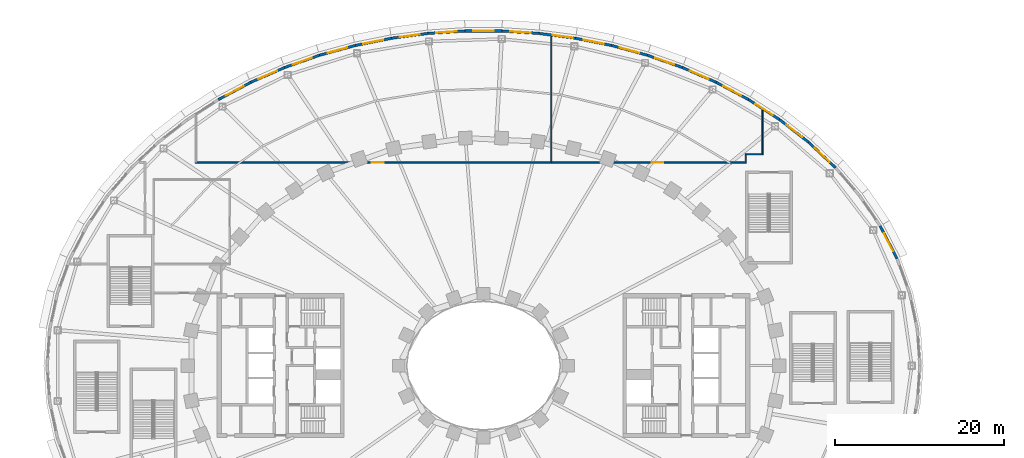
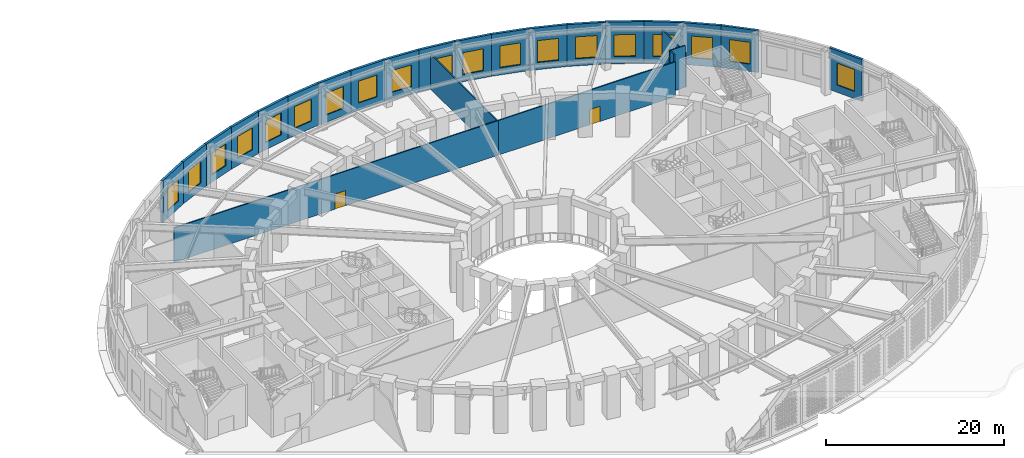
# One storey, part 26 of 74: 25 walls, 19 windows, 2 doors, 21 openings.
"""IFC4 building model written with IfcOpenShell, lengths in metres."""

from ifc_helpers import new_model, si_unit, direction, frame, frame_2d, origin, place, context, subcontext, project, spatial, rectangle, extrude, material, layer, layer_set, type_object, element, fill, save


model = new_model("IFC4")

# Units and contexts
model_context = context("Model", 3, precision=1e-05, world=origin(), true_north=direction((0.0, 1.0)))
body_context = subcontext(model_context, "Body", "Model", "MODEL_VIEW")
ifc_project = project(units=[si_unit("LENGTHUNIT", "METRE"), si_unit("AREAUNIT", "SQUARE_METRE"), si_unit("VOLUMEUNIT", "CUBIC_METRE"), si_unit("PLANEANGLEUNIT", "RADIAN"), si_unit("MASSUNIT", "GRAM", prefix="KILO")], contexts=[model_context])

# Site, building, storey
site_placement = place(None, origin())
site = spatial("IfcSite", under=ifc_project, at=site_placement, CompositionType="ELEMENT")
building_placement = place(site_placement, origin())
building = spatial("IfcBuilding", under=site, at=building_placement, Name="Noorbagh Ring Tower", CompositionType="ELEMENT")
storey_placement = place(building_placement, frame((0.0, 0.0, 7.5)))
storey = spatial("IfcBuildingStorey", under=building, at=storey_placement, Name="L01", CompositionType="ELEMENT", Elevation=7.5)

# Wall, opening, window
ifc_material_1 = material(Name="Blockwork faced with red sandstone", Category="masonry")
ifc_layer_1 = layer(ifc_material_1, 0.300048828125)
ifc_layer_set_1 = layer_set([ifc_layer_1], Name="Blockwork faced with red sandstone")
wall_type_1 = type_object("IfcWallType", Name="GND-ENV-WALL", PredefinedType="SOLIDWALL", material=ifc_layer_set_1)
wall_1_placement = place(storey_placement, frame((48.894287109375, 12.648681640625, 0.0), z_axis=(0.0, 0.0, 1.0), x_axis=(-0.459242531468, 0.888310923771, 0.0)))
wall_1 = element("IfcWall", 1, at=wall_1_placement, inside=storey, type_object=wall_type_1, Name="Podium wall", PredefinedType="SOLIDWALL", context=body_context, shape_type="SweptSolid", body=[
    extrude(rectangle(XDim=4.344970703125, YDim=0.300048828125, at=frame_2d((2.17236328125, 0.0))), origin(), (0.0, 0.0, 1.0), 5.75),
])
opening_1_placement = place(wall_1_placement, frame((0.972412109375, 0.0, 1.0)))
opening_1 = element("IfcOpeningElement", 2, at=opening_1_placement, cuts=wall_1, Name="Opening GWN1", PredefinedType="OPENING", context=body_context, shape_type="SweptSolid", body=[
    extrude(rectangle(XDim=2.39990234375, YDim=3.0, at=frame_2d((1.199951171875, 1.5))), frame((0.0, 0.16015625, 0.0), z_axis=(0.0, -1.0, 0.0), x_axis=(1.0, 0.0, 0.0)), (0.0, 0.0, 1.0), 0.320068359375),
])
ifc_material_2 = material(Name="Aluminium and glass", Category="aluminium")
window_type = type_object("IfcWindowType", Name="GND-ENV-WINDOW", PartitioningType="SINGLE_PANEL", PredefinedType="WINDOW", material=ifc_material_2)
window_1_placement = place(opening_1_placement, origin())
window_1 = element("IfcWindow", 3, at=window_1_placement, inside=storey, type_object=window_type, Name="L01 podium window", OverallHeight=3.0, OverallWidth=2.39990234375, PartitioningType="SINGLE_PANEL", PredefinedType="WINDOW", context=body_context, shape_type="SweptSolid", body=[
    extrude(rectangle(XDim=2.39990234375, YDim=3.0, at=frame_2d((1.199951171875, 1.5))), frame((0.0, 0.030029296875, 0.0), z_axis=(0.0, -1.0, 0.0), x_axis=(1.0, 0.0, 0.0)), (0.0, 0.0, 1.0), 0.06005859375),
])
fill(opening_1, window_1)

wall_2_placement = place(storey_placement, frame((41.61669921875, 23.406005859375, 0.0), z_axis=(0.0, 0.0, 1.0), x_axis=(-0.72620446032, 0.687478786444, 0.0)))
wall_2 = element("IfcWall", 4, at=wall_2_placement, inside=storey, type_object=wall_type_1, Name="Podium wall", PredefinedType="SOLIDWALL", context=body_context, shape_type="SweptSolid", body=[
    extrude(rectangle(XDim=4.356201171875, YDim=0.300048828125, at=frame_2d((2.17822265625, 0.0))), origin(), (0.0, 0.0, 1.0), 5.75),
])
opening_2_placement = place(wall_2_placement, frame((0.97802734375, 0.0, 1.0)))
opening_2 = element("IfcOpeningElement", 5, at=opening_2_placement, cuts=wall_2, Name="Opening GWN1", PredefinedType="OPENING", context=body_context, shape_type="SweptSolid", body=[
    extrude(rectangle(XDim=2.39990234375, YDim=3.0, at=frame_2d((1.199951171875, 1.5))), frame((0.0, 0.16015625, 0.0), z_axis=(0.0, -1.0, 0.0), x_axis=(1.0, 0.0, 0.0)), (0.0, 0.0, 1.0), 0.320068359375),
])
window_2_placement = place(opening_2_placement, origin())
window_2 = element("IfcWindow", 6, at=window_2_placement, inside=storey, type_object=window_type, Name="L01 podium window", OverallHeight=3.0, OverallWidth=2.39990234375, PartitioningType="SINGLE_PANEL", PredefinedType="WINDOW", context=body_context, shape_type="SweptSolid", body=[
    extrude(rectangle(XDim=2.39990234375, YDim=3.0, at=frame_2d((1.199951171875, 1.5))), frame((0.0, 0.030029296875, 0.0), z_axis=(0.0, -1.0, 0.0), x_axis=(1.0, 0.0, 0.0)), (0.0, 0.0, 1.0), 0.06005859375),
])
fill(opening_2, window_2)

wall_3_placement = place(storey_placement, frame((38.453125, 26.40087890625, 0.0), z_axis=(0.0, 0.0, 1.0), x_axis=(-0.788491985196, 0.615045030288, 0.0)))
wall_3 = element("IfcWall", 7, at=wall_3_placement, inside=storey, type_object=wall_type_1, Name="Podium wall", PredefinedType="SOLIDWALL", context=body_context, shape_type="SweptSolid", body=[
    extrude(rectangle(XDim=4.359375, YDim=0.300048828125, at=frame_2d((2.1796875, 0.0))), origin(), (0.0, 0.0, 1.0), 5.75),
])
opening_3_placement = place(wall_3_placement, frame((0.979736328125, 0.0, 1.0)))
opening_3 = element("IfcOpeningElement", 8, at=opening_3_placement, cuts=wall_3, Name="Opening GWN1", PredefinedType="OPENING", context=body_context, shape_type="SweptSolid", body=[
    extrude(rectangle(XDim=2.39990234375, YDim=3.0, at=frame_2d((1.199951171875, 1.5))), frame((0.0, 0.16015625, 0.0), z_axis=(0.0, -1.0, 0.0), x_axis=(1.0, 0.0, 0.0)), (0.0, 0.0, 1.0), 0.320068359375),
])
window_3_placement = place(opening_3_placement, origin())
window_3 = element("IfcWindow", 9, at=window_3_placement, inside=storey, type_object=window_type, Name="L01 podium window", OverallHeight=3.0, OverallWidth=2.39990234375, PartitioningType="SINGLE_PANEL", PredefinedType="WINDOW", context=body_context, shape_type="SweptSolid", body=[
    extrude(rectangle(XDim=2.39990234375, YDim=3.0, at=frame_2d((1.199951171875, 1.5))), frame((0.0, 0.030029296875, 0.0), z_axis=(0.0, -1.0, 0.0), x_axis=(1.0, 0.0, 0.0)), (0.0, 0.0, 1.0), 0.06005859375),
])
fill(opening_3, window_3)

wall_4_placement = place(storey_placement, frame((35.015869140625, 29.08203125, 0.0), z_axis=(0.0, 0.0, 1.0), x_axis=(-0.840047348843, 0.542513088969, 0.0)))
wall_4 = element("IfcWall", 10, at=wall_4_placement, inside=storey, type_object=wall_type_1, Name="Podium wall", PredefinedType="SOLIDWALL", context=body_context, shape_type="SweptSolid", body=[
    extrude(rectangle(XDim=4.362060546875, YDim=0.300048828125, at=frame_2d((2.18115234375, 0.0))), origin(), (0.0, 0.0, 1.0), 5.75),
])
opening_4_placement = place(wall_4_placement, frame((0.98095703125, 0.0, 1.0)))
opening_4 = element("IfcOpeningElement", 11, at=opening_4_placement, cuts=wall_4, Name="Opening GWN1", PredefinedType="OPENING", context=body_context, shape_type="SweptSolid", body=[
    extrude(rectangle(XDim=2.39990234375, YDim=3.0, at=frame_2d((1.199951171875, 1.5))), frame((0.0, 0.16015625, 0.0), z_axis=(0.0, -1.0, 0.0), x_axis=(1.0, 0.0, 0.0)), (0.0, 0.0, 1.0), 0.320068359375),
])
window_4_placement = place(opening_4_placement, origin())
window_4 = element("IfcWindow", 12, at=window_4_placement, inside=storey, type_object=window_type, Name="L01 podium window", OverallHeight=3.0, OverallWidth=2.39990234375, PartitioningType="SINGLE_PANEL", PredefinedType="WINDOW", context=body_context, shape_type="SweptSolid", body=[
    extrude(rectangle(XDim=2.39990234375, YDim=3.0, at=frame_2d((1.199951171875, 1.5))), frame((0.0, 0.030029296875, 0.0), z_axis=(0.0, -1.0, 0.0), x_axis=(1.0, 0.0, 0.0)), (0.0, 0.0, 1.0), 0.06005859375),
])
fill(opening_4, window_4)

wall_5_placement = place(storey_placement, frame((31.3515625, 31.448486328125, 0.0), z_axis=(0.0, 0.0, 1.0), x_axis=(-0.882159305704, 0.47095112205, 0.0)))
wall_5 = element("IfcWall", 13, at=wall_5_placement, inside=storey, type_object=wall_type_1, Name="Podium wall", PredefinedType="SOLIDWALL", context=body_context, shape_type="SweptSolid", body=[
    extrude(rectangle(XDim=4.364501953125, YDim=0.300048828125, at=frame_2d((2.18212890625, 0.0))), origin(), (0.0, 0.0, 1.0), 5.75),
])
opening_5_placement = place(wall_5_placement, frame((0.982177734375, 0.0, 1.0)))
opening_5 = element("IfcOpeningElement", 14, at=opening_5_placement, cuts=wall_5, Name="Opening GWN1", PredefinedType="OPENING", context=body_context, shape_type="SweptSolid", body=[
    extrude(rectangle(XDim=2.39990234375, YDim=3.0, at=frame_2d((1.199951171875, 1.5))), frame((0.0, 0.16015625, 0.0), z_axis=(0.0, -1.0, 0.0), x_axis=(1.0, 0.0, 0.0)), (0.0, 0.0, 1.0), 0.320068359375),
])
window_5_placement = place(opening_5_placement, origin())
window_5 = element("IfcWindow", 15, at=window_5_placement, inside=storey, type_object=window_type, Name="L01 podium window", OverallHeight=3.0, OverallWidth=2.39990234375, PartitioningType="SINGLE_PANEL", PredefinedType="WINDOW", context=body_context, shape_type="SweptSolid", body=[
    extrude(rectangle(XDim=2.39990234375, YDim=3.0, at=frame_2d((1.199951171875, 1.5))), frame((0.0, 0.030029296875, 0.0), z_axis=(0.0, -1.0, 0.0), x_axis=(1.0, 0.0, 0.0)), (0.0, 0.0, 1.0), 0.06005859375),
])
fill(opening_5, window_5)

wall_6_placement = place(storey_placement, frame((27.50146484375, 33.50390625, 0.0), z_axis=(0.0, 0.0, 1.0), x_axis=(-0.916336904548, 0.400408138483, 0.0)))
wall_6 = element("IfcWall", 16, at=wall_6_placement, inside=storey, type_object=wall_type_1, Name="Podium wall", PredefinedType="SOLIDWALL", context=body_context, shape_type="SweptSolid", body=[
    extrude(rectangle(XDim=4.3662109375, YDim=0.300048828125, at=frame_2d((2.18310546875, 0.0))), origin(), (0.0, 0.0, 1.0), 5.75),
])
opening_6_placement = place(wall_6_placement, frame((0.983154296875, 0.0, 1.0)))
opening_6 = element("IfcOpeningElement", 17, at=opening_6_placement, cuts=wall_6, Name="Opening GWN1", PredefinedType="OPENING", context=body_context, shape_type="SweptSolid", body=[
    extrude(rectangle(XDim=2.39990234375, YDim=3.0, at=frame_2d((1.199951171875, 1.5))), frame((0.0, 0.16015625, 0.0), z_axis=(0.0, -1.0, 0.0), x_axis=(1.0, 0.0, 0.0)), (0.0, 0.0, 1.0), 0.320068359375),
])
window_6_placement = place(opening_6_placement, origin())
window_6 = element("IfcWindow", 18, at=window_6_placement, inside=storey, type_object=window_type, Name="L01 podium window", OverallHeight=3.0, OverallWidth=2.39990234375, PartitioningType="SINGLE_PANEL", PredefinedType="WINDOW", context=body_context, shape_type="SweptSolid", body=[
    extrude(rectangle(XDim=2.39990234375, YDim=3.0, at=frame_2d((1.199951171875, 1.5))), frame((0.0, 0.030029296875, 0.0), z_axis=(0.0, -1.0, 0.0), x_axis=(1.0, 0.0, 0.0)), (0.0, 0.0, 1.0), 0.06005859375),
])
fill(opening_6, window_6)

wall_7_placement = place(storey_placement, frame((23.50048828125, 35.252197265625, 0.0), z_axis=(0.0, 0.0, 1.0), x_axis=(-0.943526738033, 0.331296384853, 0.0)))
wall_7 = element("IfcWall", 19, at=wall_7_placement, inside=storey, type_object=wall_type_1, Name="Podium wall", PredefinedType="SOLIDWALL", context=body_context, shape_type="SweptSolid", body=[
    extrude(rectangle(XDim=4.36767578125, YDim=0.300048828125, at=frame_2d((2.183837890625, 0.0))), origin(), (0.0, 0.0, 1.0), 5.75),
])
opening_7_placement = place(wall_7_placement, frame((0.98388671875, 0.0, 1.0)))
opening_7 = element("IfcOpeningElement", 20, at=opening_7_placement, cuts=wall_7, Name="Opening GWN1", PredefinedType="OPENING", context=body_context, shape_type="SweptSolid", body=[
    extrude(rectangle(XDim=2.39990234375, YDim=3.0, at=frame_2d((1.199951171875, 1.5))), frame((0.0, 0.16015625, 0.0), z_axis=(0.0, -1.0, 0.0), x_axis=(1.0, 0.0, 0.0)), (0.0, 0.0, 1.0), 0.320068359375),
])
window_7_placement = place(opening_7_placement, origin())
window_7 = element("IfcWindow", 21, at=window_7_placement, inside=storey, type_object=window_type, Name="L01 podium window", OverallHeight=3.0, OverallWidth=2.39990234375, PartitioningType="SINGLE_PANEL", PredefinedType="WINDOW", context=body_context, shape_type="SweptSolid", body=[
    extrude(rectangle(XDim=2.39990234375, YDim=3.0, at=frame_2d((1.199951171875, 1.5))), frame((0.0, 0.030029296875, 0.0), z_axis=(0.0, -1.0, 0.0), x_axis=(1.0, 0.0, 0.0)), (0.0, 0.0, 1.0), 0.06005859375),
])
fill(opening_7, window_7)

wall_8_placement = place(storey_placement, frame((19.37939453125, 36.69921875, 0.0), z_axis=(0.0, 0.0, 1.0), x_axis=(-0.964679950239, 0.263424739931, 0.0)))
wall_8 = element("IfcWall", 22, at=wall_8_placement, inside=storey, type_object=wall_type_1, Name="Podium wall", PredefinedType="SOLIDWALL", context=body_context, shape_type="SweptSolid", body=[
    extrude(rectangle(XDim=4.368896484375, YDim=0.300048828125, at=frame_2d((2.1845703125, 0.0))), origin(), (0.0, 0.0, 1.0), 5.75),
])
opening_8_placement = place(wall_8_placement, frame((0.984619140625, 0.0, 1.0)))
opening_8 = element("IfcOpeningElement", 23, at=opening_8_placement, cuts=wall_8, Name="Opening GWN1", PredefinedType="OPENING", context=body_context, shape_type="SweptSolid", body=[
    extrude(rectangle(XDim=2.39990234375, YDim=3.0, at=frame_2d((1.199951171875, 1.5))), frame((0.0, 0.16015625, 0.0), z_axis=(0.0, -1.0, 0.0), x_axis=(1.0, 0.0, 0.0)), (0.0, 0.0, 1.0), 0.320068359375),
])
window_8_placement = place(opening_8_placement, origin())
window_8 = element("IfcWindow", 24, at=window_8_placement, inside=storey, type_object=window_type, Name="L01 podium window", OverallHeight=3.0, OverallWidth=2.39990234375, PartitioningType="SINGLE_PANEL", PredefinedType="WINDOW", context=body_context, shape_type="SweptSolid", body=[
    extrude(rectangle(XDim=2.39990234375, YDim=3.0, at=frame_2d((1.199951171875, 1.5))), frame((0.0, 0.030029296875, 0.0), z_axis=(0.0, -1.0, 0.0), x_axis=(1.0, 0.0, 0.0)), (0.0, 0.0, 1.0), 0.06005859375),
])
fill(opening_8, window_8)

wall_9_placement = place(storey_placement, frame((15.164794921875, 37.85009765625, 0.0), z_axis=(0.0, 0.0, 1.0), x_axis=(-0.980494629762, 0.196545875071, 0.0)))
wall_9 = element("IfcWall", 25, at=wall_9_placement, inside=storey, type_object=wall_type_1, Name="Podium wall", PredefinedType="SOLIDWALL", context=body_context, shape_type="SweptSolid", body=[
    extrude(rectangle(XDim=4.369873046875, YDim=0.300048828125, at=frame_2d((2.18505859375, 0.0))), origin(), (0.0, 0.0, 1.0), 5.75),
])
opening_9_placement = place(wall_9_placement, frame((0.98486328125, 0.0, 1.0)))
opening_9 = element("IfcOpeningElement", 26, at=opening_9_placement, cuts=wall_9, Name="Opening GWN1", PredefinedType="OPENING", context=body_context, shape_type="SweptSolid", body=[
    extrude(rectangle(XDim=2.39990234375, YDim=3.0, at=frame_2d((1.199951171875, 1.5))), frame((0.0, 0.16015625, 0.0), z_axis=(0.0, -1.0, 0.0), x_axis=(1.0, 0.0, 0.0)), (0.0, 0.0, 1.0), 0.320068359375),
])
window_9_placement = place(opening_9_placement, origin())
window_9 = element("IfcWindow", 27, at=window_9_placement, inside=storey, type_object=window_type, Name="L01 podium window", OverallHeight=3.0, OverallWidth=2.39990234375, PartitioningType="SINGLE_PANEL", PredefinedType="WINDOW", context=body_context, shape_type="SweptSolid", body=[
    extrude(rectangle(XDim=2.39990234375, YDim=3.0, at=frame_2d((1.199951171875, 1.5))), frame((0.0, 0.030029296875, 0.0), z_axis=(0.0, -1.0, 0.0), x_axis=(1.0, 0.0, 0.0)), (0.0, 0.0, 1.0), 0.06005859375),
])
fill(opening_9, window_9)

wall_10_placement = place(storey_placement, frame((10.880126953125, 38.708984375, 0.0), z_axis=(0.0, 0.0, 1.0), x_axis=(-0.991441741932, 0.130549884544, 0.0)))
wall_10 = element("IfcWall", 28, at=wall_10_placement, inside=storey, type_object=wall_type_1, Name="Podium wall", PredefinedType="SOLIDWALL", context=body_context, shape_type="SweptSolid", body=[
    extrude(rectangle(XDim=4.370361328125, YDim=0.300048828125, at=frame_2d((2.18505859375, 0.0))), origin(), (0.0, 0.0, 1.0), 5.75),
])
opening_10_placement = place(wall_10_placement, frame((0.30517578125, 0.0, 1.0)))
opening_10 = element("IfcOpeningElement", 29, at=opening_10_placement, cuts=wall_10, Name="Opening GWN1", PredefinedType="OPENING", context=body_context, shape_type="SweptSolid", body=[
    extrude(rectangle(XDim=2.39990234375, YDim=3.0, at=frame_2d((1.199951171875, 1.5))), frame((0.0, 0.16015625, 0.0), z_axis=(0.0, -1.0, 0.0), x_axis=(1.0, 0.0, 0.0)), (0.0, 0.0, 1.0), 0.320068359375),
])
window_10_placement = place(opening_10_placement, origin())
window_10 = element("IfcWindow", 30, at=window_10_placement, inside=storey, type_object=window_type, Name="L01 podium window", OverallHeight=3.0, OverallWidth=2.39990234375, PartitioningType="SINGLE_PANEL", PredefinedType="WINDOW", context=body_context, shape_type="SweptSolid", body=[
    extrude(rectangle(XDim=2.39990234375, YDim=3.0, at=frame_2d((1.199951171875, 1.5))), frame((0.0, 0.030029296875, 0.0), z_axis=(0.0, -1.0, 0.0), x_axis=(1.0, 0.0, 0.0)), (0.0, 0.0, 1.0), 0.06005859375),
])
fill(opening_10, window_10)

wall_11_placement = place(storey_placement, frame((6.547119140625, 39.279541015625, 0.0), z_axis=(0.0, 0.0, 1.0), x_axis=(-0.997876871627, 0.065128711577, 0.0)))
wall_11 = element("IfcWall", 31, at=wall_11_placement, inside=storey, type_object=wall_type_1, Name="Podium wall", PredefinedType="SOLIDWALL", context=body_context, shape_type="SweptSolid", body=[
    extrude(rectangle(XDim=4.370849609375, YDim=0.300048828125, at=frame_2d((2.185546875, 0.0))), origin(), (0.0, 0.0, 1.0), 5.75),
])
opening_11_placement = place(wall_11_placement, frame((0.9853515625, 0.0, 1.0)))
opening_11 = element("IfcOpeningElement", 32, at=opening_11_placement, cuts=wall_11, Name="Opening GWN1", PredefinedType="OPENING", context=body_context, shape_type="SweptSolid", body=[
    extrude(rectangle(XDim=2.39990234375, YDim=3.0, at=frame_2d((1.199951171875, 1.5))), frame((0.0, 0.16015625, 0.0), z_axis=(0.0, -1.0, 0.0), x_axis=(1.0, 0.0, 0.0)), (0.0, 0.0, 1.0), 0.320068359375),
])
window_11_placement = place(opening_11_placement, origin())
window_11 = element("IfcWindow", 33, at=window_11_placement, inside=storey, type_object=window_type, Name="L01 podium window", OverallHeight=3.0, OverallWidth=2.39990234375, PartitioningType="SINGLE_PANEL", PredefinedType="WINDOW", context=body_context, shape_type="SweptSolid", body=[
    extrude(rectangle(XDim=2.39990234375, YDim=3.0, at=frame_2d((1.199951171875, 1.5))), frame((0.0, 0.030029296875, 0.0), z_axis=(0.0, -1.0, 0.0), x_axis=(1.0, 0.0, 0.0)), (0.0, 0.0, 1.0), 0.06005859375),
])
fill(opening_11, window_11)

wall_12_placement = place(storey_placement, frame((2.185546875, 39.564208984375, 0.0), z_axis=(0.0, 0.0, 1.0), x_axis=(-1.0, 0.0, 0.0)))
wall_12 = element("IfcWall", 34, at=wall_12_placement, inside=storey, type_object=wall_type_1, Name="Podium wall", PredefinedType="SOLIDWALL", context=body_context, shape_type="SweptSolid", body=[
    extrude(rectangle(XDim=4.37109375, YDim=0.300048828125, at=frame_2d((2.185546875, 0.0))), origin(), (0.0, 0.0, 1.0), 5.75),
])
opening_12_placement = place(wall_12_placement, frame((0.985595703125, 0.0, 1.0)))
opening_12 = element("IfcOpeningElement", 35, at=opening_12_placement, cuts=wall_12, Name="Opening GWN1", PredefinedType="OPENING", context=body_context, shape_type="SweptSolid", body=[
    extrude(rectangle(XDim=2.39990234375, YDim=3.0, at=frame_2d((1.199951171875, 1.5))), frame((0.0, 0.16015625, 0.0), z_axis=(0.0, -1.0, 0.0), x_axis=(1.0, 0.0, 0.0)), (0.0, 0.0, 1.0), 0.320068359375),
])
window_12_placement = place(opening_12_placement, origin())
window_12 = element("IfcWindow", 36, at=window_12_placement, inside=storey, type_object=window_type, Name="L01 podium window", OverallHeight=3.0, OverallWidth=2.39990234375, PartitioningType="SINGLE_PANEL", PredefinedType="WINDOW", context=body_context, shape_type="SweptSolid", body=[
    extrude(rectangle(XDim=2.39990234375, YDim=3.0, at=frame_2d((1.199951171875, 1.5))), frame((0.0, 0.030029296875, 0.0), z_axis=(0.0, -1.0, 0.0), x_axis=(1.0, 0.0, 0.0)), (0.0, 0.0, 1.0), 0.06005859375),
])
fill(opening_12, window_12)

wall_13_placement = place(storey_placement, frame((-2.185546875, 39.564208984375, 0.0), z_axis=(0.0, 0.0, 1.0), x_axis=(-0.997876871627, -0.065128711577, 0.0)))
wall_13 = element("IfcWall", 37, at=wall_13_placement, inside=storey, type_object=wall_type_1, Name="Podium wall", PredefinedType="SOLIDWALL", context=body_context, shape_type="SweptSolid", body=[
    extrude(rectangle(XDim=4.370849609375, YDim=0.300048828125, at=frame_2d((2.185546875, 0.0))), origin(), (0.0, 0.0, 1.0), 5.75),
])
opening_13_placement = place(wall_13_placement, frame((0.9853515625, 0.0, 1.0)))
opening_13 = element("IfcOpeningElement", 38, at=opening_13_placement, cuts=wall_13, Name="Opening GWN1", PredefinedType="OPENING", context=body_context, shape_type="SweptSolid", body=[
    extrude(rectangle(XDim=2.39990234375, YDim=3.0, at=frame_2d((1.199951171875, 1.5))), frame((0.0, 0.16015625, 0.0), z_axis=(0.0, -1.0, 0.0), x_axis=(1.0, 0.0, 0.0)), (0.0, 0.0, 1.0), 0.320068359375),
])
window_13_placement = place(opening_13_placement, origin())
window_13 = element("IfcWindow", 39, at=window_13_placement, inside=storey, type_object=window_type, Name="L01 podium window", OverallHeight=3.0, OverallWidth=2.39990234375, PartitioningType="SINGLE_PANEL", PredefinedType="WINDOW", context=body_context, shape_type="SweptSolid", body=[
    extrude(rectangle(XDim=2.39990234375, YDim=3.0, at=frame_2d((1.199951171875, 1.5))), frame((0.0, 0.030029296875, 0.0), z_axis=(0.0, -1.0, 0.0), x_axis=(1.0, 0.0, 0.0)), (0.0, 0.0, 1.0), 0.06005859375),
])
fill(opening_13, window_13)

wall_14_placement = place(storey_placement, frame((-6.547119140625, 39.279541015625, 0.0), z_axis=(0.0, 0.0, 1.0), x_axis=(-0.991441741932, -0.130549884544, 0.0)))
wall_14 = element("IfcWall", 40, at=wall_14_placement, inside=storey, type_object=wall_type_1, Name="Podium wall", PredefinedType="SOLIDWALL", context=body_context, shape_type="SweptSolid", body=[
    extrude(rectangle(XDim=4.370361328125, YDim=0.300048828125, at=frame_2d((2.18505859375, 0.0))), origin(), (0.0, 0.0, 1.0), 5.75),
])
opening_14_placement = place(wall_14_placement, frame((0.985107421875, 0.0, 1.0)))
opening_14 = element("IfcOpeningElement", 41, at=opening_14_placement, cuts=wall_14, Name="Opening GWN1", PredefinedType="OPENING", context=body_context, shape_type="SweptSolid", body=[
    extrude(rectangle(XDim=2.39990234375, YDim=3.0, at=frame_2d((1.199951171875, 1.5))), frame((0.0, 0.16015625, 0.0), z_axis=(0.0, -1.0, 0.0), x_axis=(1.0, 0.0, 0.0)), (0.0, 0.0, 1.0), 0.320068359375),
])
window_14_placement = place(opening_14_placement, origin())
window_14 = element("IfcWindow", 42, at=window_14_placement, inside=storey, type_object=window_type, Name="L01 podium window", OverallHeight=3.0, OverallWidth=2.39990234375, PartitioningType="SINGLE_PANEL", PredefinedType="WINDOW", context=body_context, shape_type="SweptSolid", body=[
    extrude(rectangle(XDim=2.39990234375, YDim=3.0, at=frame_2d((1.199951171875, 1.5))), frame((0.0, 0.030029296875, 0.0), z_axis=(0.0, -1.0, 0.0), x_axis=(1.0, 0.0, 0.0)), (0.0, 0.0, 1.0), 0.06005859375),
])
fill(opening_14, window_14)

wall_15_placement = place(storey_placement, frame((-10.880126953125, 38.708984375, 0.0), z_axis=(0.0, 0.0, 1.0), x_axis=(-0.980494629762, -0.196545875071, 0.0)))
wall_15 = element("IfcWall", 43, at=wall_15_placement, inside=storey, type_object=wall_type_1, Name="Podium wall", PredefinedType="SOLIDWALL", context=body_context, shape_type="SweptSolid", body=[
    extrude(rectangle(XDim=4.369873046875, YDim=0.300048828125, at=frame_2d((2.18505859375, 0.0))), origin(), (0.0, 0.0, 1.0), 5.75),
])
opening_15_placement = place(wall_15_placement, frame((0.98486328125, 0.0, 1.0)))
opening_15 = element("IfcOpeningElement", 44, at=opening_15_placement, cuts=wall_15, Name="Opening GWN1", PredefinedType="OPENING", context=body_context, shape_type="SweptSolid", body=[
    extrude(rectangle(XDim=2.39990234375, YDim=3.0, at=frame_2d((1.199951171875, 1.5))), frame((0.0, 0.16015625, 0.0), z_axis=(0.0, -1.0, 0.0), x_axis=(1.0, 0.0, 0.0)), (0.0, 0.0, 1.0), 0.320068359375),
])
window_15_placement = place(opening_15_placement, origin())
window_15 = element("IfcWindow", 45, at=window_15_placement, inside=storey, type_object=window_type, Name="L01 podium window", OverallHeight=3.0, OverallWidth=2.39990234375, PartitioningType="SINGLE_PANEL", PredefinedType="WINDOW", context=body_context, shape_type="SweptSolid", body=[
    extrude(rectangle(XDim=2.39990234375, YDim=3.0, at=frame_2d((1.199951171875, 1.5))), frame((0.0, 0.030029296875, 0.0), z_axis=(0.0, -1.0, 0.0), x_axis=(1.0, 0.0, 0.0)), (0.0, 0.0, 1.0), 0.06005859375),
])
fill(opening_15, window_15)

wall_16_placement = place(storey_placement, frame((-15.164794921875, 37.85009765625, 0.0), z_axis=(0.0, 0.0, 1.0), x_axis=(-0.964679950239, -0.263424739931, 0.0)))
wall_16 = element("IfcWall", 46, at=wall_16_placement, inside=storey, type_object=wall_type_1, Name="Podium wall", PredefinedType="SOLIDWALL", context=body_context, shape_type="SweptSolid", body=[
    extrude(rectangle(XDim=4.368896484375, YDim=0.300048828125, at=frame_2d((2.1845703125, 0.0))), origin(), (0.0, 0.0, 1.0), 5.75),
])
opening_16_placement = place(wall_16_placement, frame((0.984619140625, 0.0, 1.0)))
opening_16 = element("IfcOpeningElement", 47, at=opening_16_placement, cuts=wall_16, Name="Opening GWN1", PredefinedType="OPENING", context=body_context, shape_type="SweptSolid", body=[
    extrude(rectangle(XDim=2.39990234375, YDim=3.0, at=frame_2d((1.199951171875, 1.5))), frame((0.0, 0.16015625, 0.0), z_axis=(0.0, -1.0, 0.0), x_axis=(1.0, 0.0, 0.0)), (0.0, 0.0, 1.0), 0.320068359375),
])
window_16_placement = place(opening_16_placement, origin())
window_16 = element("IfcWindow", 48, at=window_16_placement, inside=storey, type_object=window_type, Name="L01 podium window", OverallHeight=3.0, OverallWidth=2.39990234375, PartitioningType="SINGLE_PANEL", PredefinedType="WINDOW", context=body_context, shape_type="SweptSolid", body=[
    extrude(rectangle(XDim=2.39990234375, YDim=3.0, at=frame_2d((1.199951171875, 1.5))), frame((0.0, 0.030029296875, 0.0), z_axis=(0.0, -1.0, 0.0), x_axis=(1.0, 0.0, 0.0)), (0.0, 0.0, 1.0), 0.06005859375),
])
fill(opening_16, window_16)

wall_17_placement = place(storey_placement, frame((-19.37939453125, 36.69921875, 0.0), z_axis=(0.0, 0.0, 1.0), x_axis=(-0.943526738033, -0.331296384853, 0.0)))
wall_17 = element("IfcWall", 49, at=wall_17_placement, inside=storey, type_object=wall_type_1, Name="Podium wall", PredefinedType="SOLIDWALL", context=body_context, shape_type="SweptSolid", body=[
    extrude(rectangle(XDim=4.36767578125, YDim=0.300048828125, at=frame_2d((2.183837890625, 0.0))), origin(), (0.0, 0.0, 1.0), 5.75),
])
opening_17_placement = place(wall_17_placement, frame((0.98388671875, 0.0, 1.0)))
opening_17 = element("IfcOpeningElement", 50, at=opening_17_placement, cuts=wall_17, Name="Opening GWN1", PredefinedType="OPENING", context=body_context, shape_type="SweptSolid", body=[
    extrude(rectangle(XDim=2.39990234375, YDim=3.0, at=frame_2d((1.199951171875, 1.5))), frame((0.0, 0.16015625, 0.0), z_axis=(0.0, -1.0, 0.0), x_axis=(1.0, 0.0, 0.0)), (0.0, 0.0, 1.0), 0.320068359375),
])
window_17_placement = place(opening_17_placement, origin())
window_17 = element("IfcWindow", 51, at=window_17_placement, inside=storey, type_object=window_type, Name="L01 podium window", OverallHeight=3.0, OverallWidth=2.39990234375, PartitioningType="SINGLE_PANEL", PredefinedType="WINDOW", context=body_context, shape_type="SweptSolid", body=[
    extrude(rectangle(XDim=2.39990234375, YDim=3.0, at=frame_2d((1.199951171875, 1.5))), frame((0.0, 0.030029296875, 0.0), z_axis=(0.0, -1.0, 0.0), x_axis=(1.0, 0.0, 0.0)), (0.0, 0.0, 1.0), 0.06005859375),
])
fill(opening_17, window_17)

wall_18_placement = place(storey_placement, frame((-23.50048828125, 35.252197265625, 0.0), z_axis=(0.0, 0.0, 1.0), x_axis=(-0.916336904548, -0.400408138483, 0.0)))
wall_18 = element("IfcWall", 52, at=wall_18_placement, inside=storey, type_object=wall_type_1, Name="Podium wall", PredefinedType="SOLIDWALL", context=body_context, shape_type="SweptSolid", body=[
    extrude(rectangle(XDim=4.3662109375, YDim=0.300048828125, at=frame_2d((2.18310546875, 0.0))), origin(), (0.0, 0.0, 1.0), 5.75),
])
opening_18_placement = place(wall_18_placement, frame((0.983154296875, 0.0, 1.0)))
opening_18 = element("IfcOpeningElement", 53, at=opening_18_placement, cuts=wall_18, Name="Opening GWN1", PredefinedType="OPENING", context=body_context, shape_type="SweptSolid", body=[
    extrude(rectangle(XDim=2.39990234375, YDim=3.0, at=frame_2d((1.199951171875, 1.5))), frame((0.0, 0.16015625, 0.0), z_axis=(0.0, -1.0, 0.0), x_axis=(1.0, 0.0, 0.0)), (0.0, 0.0, 1.0), 0.320068359375),
])
window_18_placement = place(opening_18_placement, origin())
window_18 = element("IfcWindow", 54, at=window_18_placement, inside=storey, type_object=window_type, Name="L01 podium window", OverallHeight=3.0, OverallWidth=2.39990234375, PartitioningType="SINGLE_PANEL", PredefinedType="WINDOW", context=body_context, shape_type="SweptSolid", body=[
    extrude(rectangle(XDim=2.39990234375, YDim=3.0, at=frame_2d((1.199951171875, 1.5))), frame((0.0, 0.030029296875, 0.0), z_axis=(0.0, -1.0, 0.0), x_axis=(1.0, 0.0, 0.0)), (0.0, 0.0, 1.0), 0.06005859375),
])
fill(opening_18, window_18)

wall_19_placement = place(storey_placement, frame((-27.50146484375, 33.50390625, 0.0), z_axis=(0.0, 0.0, 1.0), x_axis=(-0.882159305704, -0.47095112205, 0.0)))
wall_19 = element("IfcWall", 55, at=wall_19_placement, inside=storey, type_object=wall_type_1, Name="Podium wall", PredefinedType="SOLIDWALL", context=body_context, shape_type="SweptSolid", body=[
    extrude(rectangle(XDim=4.364501953125, YDim=0.300048828125, at=frame_2d((2.18212890625, 0.0))), origin(), (0.0, 0.0, 1.0), 5.75),
])
opening_19_placement = place(wall_19_placement, frame((0.982177734375, 0.0, 1.0)))
opening_19 = element("IfcOpeningElement", 56, at=opening_19_placement, cuts=wall_19, Name="Opening GWN1", PredefinedType="OPENING", context=body_context, shape_type="SweptSolid", body=[
    extrude(rectangle(XDim=2.39990234375, YDim=3.0, at=frame_2d((1.199951171875, 1.5))), frame((0.0, 0.16015625, 0.0), z_axis=(0.0, -1.0, 0.0), x_axis=(1.0, 0.0, 0.0)), (0.0, 0.0, 1.0), 0.320068359375),
])
window_19_placement = place(opening_19_placement, origin())
window_19 = element("IfcWindow", 57, at=window_19_placement, inside=storey, type_object=window_type, Name="L01 podium window", OverallHeight=3.0, OverallWidth=2.39990234375, PartitioningType="SINGLE_PANEL", PredefinedType="WINDOW", context=body_context, shape_type="SweptSolid", body=[
    extrude(rectangle(XDim=2.39990234375, YDim=3.0, at=frame_2d((1.199951171875, 1.5))), frame((0.0, 0.030029296875, 0.0), z_axis=(0.0, -1.0, 0.0), x_axis=(1.0, 0.0, 0.0)), (0.0, 0.0, 1.0), 0.06005859375),
])
fill(opening_19, window_19)

# Wall
ifc_material_3 = material(Name="Gypsum board on steel studs", Category="steel")
ifc_layer_2 = layer(ifc_material_3, 0.14990234375)
ifc_layer_set_2 = layer_set([ifc_layer_2], Name="Gypsum board on steel studs")
wall_type_2 = type_object("IfcWallType", Name="GND-PART-150", PredefinedType="PARTITIONING", material=ifc_layer_set_2)
wall_20_placement = place(storey_placement, frame((8.0, 38.934326171875, 0.0), z_axis=(0.0, 0.0, 1.0), x_axis=(0.0, -1.0, 0.0)))
element("IfcWall", 58, at=wall_20_placement, inside=storey, type_object=wall_type_2, Name="L01/wall/P010", PredefinedType="PARTITIONING", context=body_context, shape_type="SweptSolid", body=[
    extrude(rectangle(XDim=14.859375, YDim=0.14990234375, at=frame_2d((7.4296875, 0.0))), origin(), (0.0, 0.0, 1.0), 4.75),
])

# Wall, opening, door
wall_21_placement = place(storey_placement, frame((8.074951171875, 24.0, 0.0), z_axis=(0.0, 0.0, 1.0), x_axis=(-1.0, 0.0, 0.0)))
wall_21 = element("IfcWall", 59, at=wall_21_placement, inside=storey, type_object=wall_type_2, Name="L01/wall/P012", PredefinedType="PARTITIONING", context=body_context, shape_type="SweptSolid", body=[
    extrude(rectangle(XDim=42.14990234375, YDim=0.14990234375, at=frame_2d((21.074951171875, 0.0))), origin(), (0.0, 0.0, 1.0), 4.75),
])
opening_20_placement = place(wall_21_placement, frame((19.875, 0.0, 0.0)))
opening_20 = element("IfcOpeningElement", 60, at=opening_20_placement, cuts=wall_21, Name="Opening GD8", PredefinedType="OPENING", context=body_context, shape_type="SweptSolid", body=[
    extrude(rectangle(XDim=1.39990234375, YDim=2.10009765625, at=frame_2d((0.699951171875, 1.050048828125))), frame((0.0, 0.0849609375, 0.0), z_axis=(0.0, -1.0, 0.0), x_axis=(1.0, 0.0, 0.0)), (0.0, 0.0, 1.0), 0.169921875),
])
ifc_material_4 = material(Name="Timber and glass", Category="wood")
door_type = type_object("IfcDoorType", Name="GND-DOOR-HALL-14", OperationType="DOUBLE_DOOR_SINGLE_SWING", PredefinedType="DOOR", material=ifc_material_4)
door_1_placement = place(opening_20_placement, origin())
door_1 = element("IfcDoor", 61, at=door_1_placement, inside=storey, type_object=door_type, Name="Exhibition hall door", OperationType="DOUBLE_DOOR_SINGLE_SWING", OverallHeight=2.10009765625, OverallWidth=1.39990234375, PredefinedType="DOOR", context=body_context, shape_type="SweptSolid", body=[
    extrude(rectangle(XDim=1.39990234375, YDim=2.10009765625, at=frame_2d((0.699951171875, 1.050048828125))), frame((0.0, 0.02490234375, 0.0), z_axis=(0.0, -1.0, 0.0), x_axis=(1.0, 0.0, 0.0)), (0.0, 0.0, 1.0), 0.050048828125),
])
fill(opening_20, door_1)

# Wall
wall_22_placement = place(storey_placement, frame((31.0, 24.925048828125, 0.0), z_axis=(0.0, 0.0, 1.0), x_axis=(0.0, -1.0, 0.0)))
element("IfcWall", 62, at=wall_22_placement, inside=storey, type_object=wall_type_2, Name="L01/wall/P013", PredefinedType="PARTITIONING", context=body_context, shape_type="SweptSolid", body=[
    extrude(rectangle(XDim=0.85009765625, YDim=0.14990234375, at=frame_2d((0.425048828125, 0.0))), origin(), (0.0, 0.0, 1.0), 5.75),
])

# Wall, opening, door
wall_23_placement = place(storey_placement, frame((31.074951171875, 24.0, 0.0), z_axis=(0.0, 0.0, 1.0), x_axis=(-1.0, 0.0, 0.0)))
wall_23 = element("IfcWall", 63, at=wall_23_placement, inside=storey, type_object=wall_type_2, Name="L01/wall/P014", PredefinedType="PARTITIONING", context=body_context, shape_type="SweptSolid", body=[
    extrude(rectangle(XDim=23.001220703125, YDim=0.14990234375, at=frame_2d((11.50048828125, 0.0))), origin(), (0.0, 0.0, 1.0), 4.75),
])
opening_21_placement = place(wall_23_placement, frame((9.80078125, 0.0, 0.0)))
opening_21 = element("IfcOpeningElement", 64, at=opening_21_placement, cuts=wall_23, Name="Opening GD8", PredefinedType="OPENING", context=body_context, shape_type="SweptSolid", body=[
    extrude(rectangle(XDim=1.39990234375, YDim=2.10009765625, at=frame_2d((0.699951171875, 1.050048828125))), frame((0.0, 0.0849609375, 0.0), z_axis=(0.0, -1.0, 0.0), x_axis=(1.0, 0.0, 0.0)), (0.0, 0.0, 1.0), 0.169921875),
])
door_2_placement = place(opening_21_placement, origin())
door_2 = element("IfcDoor", 65, at=door_2_placement, inside=storey, type_object=door_type, Name="Atrium lounge door", OperationType="DOUBLE_DOOR_SINGLE_SWING", OverallHeight=2.10009765625, OverallWidth=1.39990234375, PredefinedType="DOOR", context=body_context, shape_type="SweptSolid", body=[
    extrude(rectangle(XDim=1.39990234375, YDim=2.10009765625, at=frame_2d((0.699951171875, 1.050048828125))), frame((0.0, 0.02490234375, 0.0), z_axis=(0.0, -1.0, 0.0), x_axis=(1.0, 0.0, 0.0)), (0.0, 0.0, 1.0), 0.050048828125),
])
fill(opening_21, door_2)

# Walls
wall_24_placement = place(storey_placement, frame((33.0, 30.165283203125, 0.0), z_axis=(0.0, 0.0, 1.0), x_axis=(0.0, -1.0, 0.0)))
element("IfcWall", 66, at=wall_24_placement, inside=storey, type_object=wall_type_2, Name="L01/wall/P015", PredefinedType="PARTITIONING", context=body_context, shape_type="SweptSolid", body=[
    extrude(rectangle(XDim=5.240234375, YDim=0.14990234375, at=frame_2d((2.6201171875, 0.0))), origin(), (0.0, 0.0, 1.0), 4.75),
])
wall_25_placement = place(storey_placement, frame((32.925048828125, 25.0, 0.0), z_axis=(0.0, 0.0, 1.0), x_axis=(-1.0, 0.0, 0.0)))
element("IfcWall", 67, at=wall_25_placement, inside=storey, type_object=wall_type_2, Name="L01/wall/P016", PredefinedType="PARTITIONING", context=body_context, shape_type="SweptSolid", body=[
    extrude(rectangle(XDim=2.0, YDim=0.14990234375, at=frame_2d((1.0, 0.0))), origin(), (0.0, 0.0, 1.0), 5.75),
])

save(model, "model.ifc")
